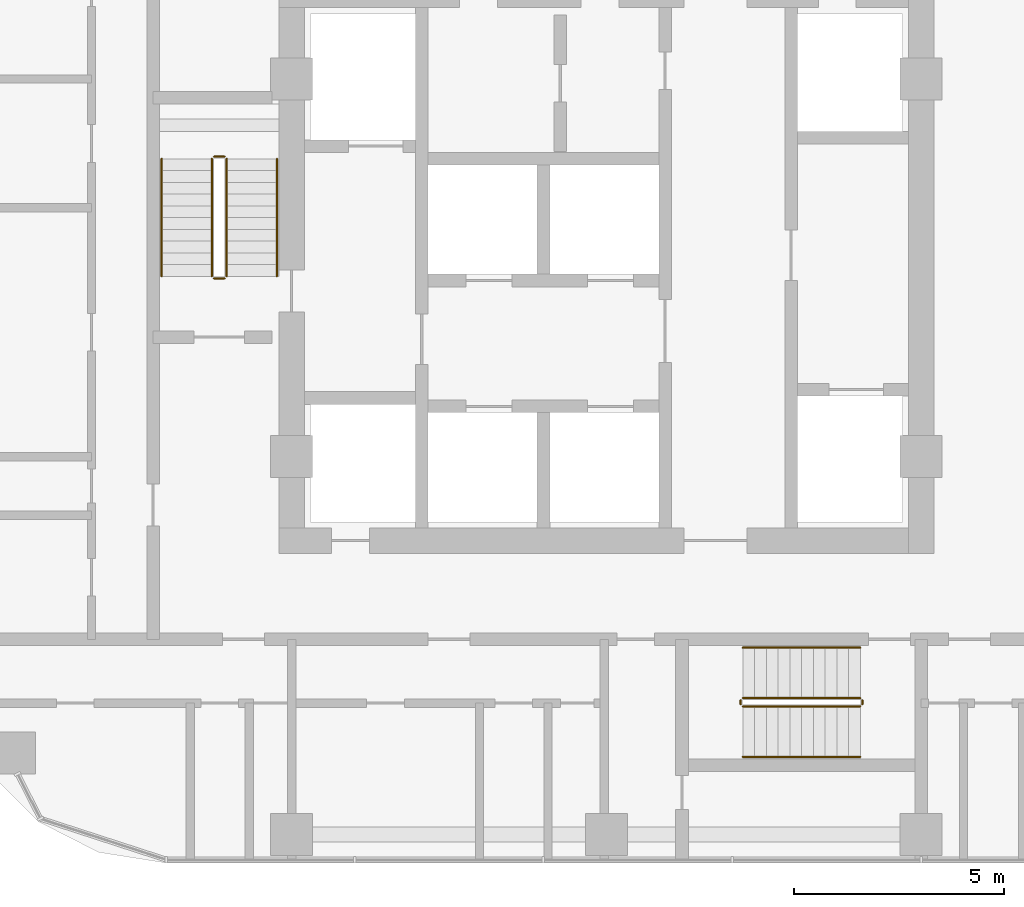
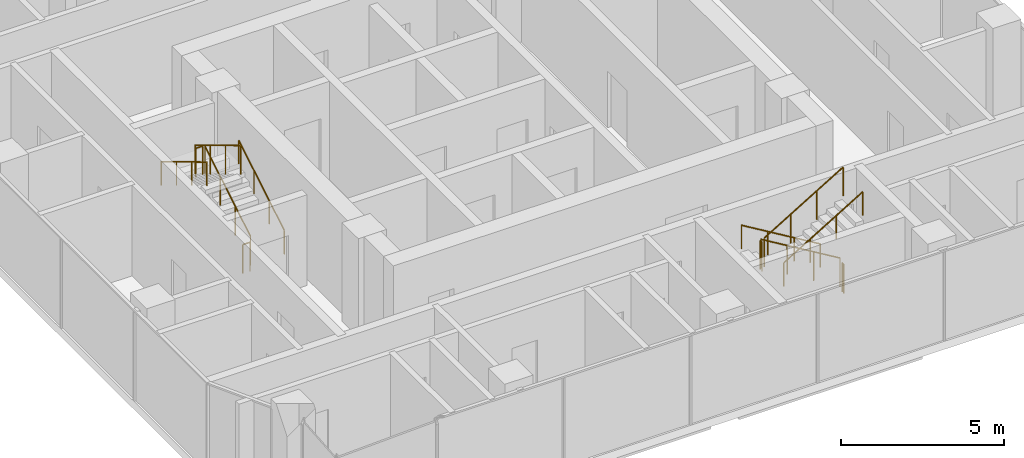
# One storey, part 30 of 30: 12 railings.
"""IFC4 building model written with IfcOpenShell, lengths in metres."""

from ifc_helpers import new_model, si_unit, direction, frame, origin, origin_2d, place, context, subcontext, project, spatial, circle, extrude, material, type_object, element, save


model = new_model("IFC4")

# Units and contexts
model_context = context("Model", 3, precision=1e-05, world=origin(), true_north=direction((0.0, 1.0)))
body_context = subcontext(model_context, "Body", "Model", "MODEL_VIEW")
ifc_project = project(units=[si_unit("LENGTHUNIT", "METRE"), si_unit("AREAUNIT", "SQUARE_METRE"), si_unit("VOLUMEUNIT", "CUBIC_METRE"), si_unit("PLANEANGLEUNIT", "RADIAN"), si_unit("MASSUNIT", "GRAM", prefix="KILO")], contexts=[model_context])

# Site, building, storey
site_placement = place(None, origin())
site = spatial("IfcSite", under=ifc_project, at=site_placement, CompositionType="ELEMENT")
building_placement = place(site_placement, origin())
building = spatial("IfcBuilding", under=site, at=building_placement, Name="Ogive Portal Towers", CompositionType="ELEMENT")
storey_placement = place(building_placement, frame((0.0, 0.0, 37.199951171875)))
storey = spatial("IfcBuildingStorey", under=building, at=storey_placement, Name="L07", CompositionType="ELEMENT", Elevation=37.199951171875)

# Railings
ifc_material_1 = material(Name="Stainless steel balustrade", Category="steel")
railing_type_1 = type_object("IfcRailingType", Name="INT-GUARD", PredefinedType="GUARDRAIL", material=ifc_material_1)
railing_1_placement = place(storey_placement, frame((127.449951171875, 30.800048828125, 0.168212890625)))
element("IfcRailing", 1, at=railing_1_placement, inside=storey, type_object=railing_type_1, Name="L07 ST-B1 stair guard 1", PredefinedType="GUARDRAIL", context=body_context, shape_type="SweptSolid", body=[
    extrude(circle(Radius=0.02392578125, at=origin_2d()), frame((0.0, 0.0, 1.076171875), z_axis=(0.0, 0.857242210791, 0.514913383045), x_axis=(-1.0, 0.0, 0.0)), (0.0, 0.0, 1.0), 3.266357421875),
    extrude(circle(Radius=0.02099609375, at=origin_2d()), origin(), (0.0, 0.0, 1.0), 1.052001953125),
    extrude(circle(Radius=0.02099609375, at=origin_2d()), frame((0.0, 0.933349609375, 0.560546875)), (0.0, 0.0, 1.0), 1.052001953125),
    extrude(circle(Radius=0.02099609375, at=origin_2d()), frame((0.0, 1.86669921875, 1.121337890625)), (0.0, 0.0, 1.0), 1.052001953125),
    extrude(circle(Radius=0.02099609375, at=origin_2d()), frame((0.0, 2.800048828125, 1.681884765625)), (0.0, 0.0, 1.0), 1.052001953125),
])
railing_2_placement = place(storey_placement, frame((127.39990234375, 33.64990234375, 1.85009765625)))
element("IfcRailing", 2, at=railing_2_placement, inside=storey, type_object=railing_type_1, Name="L07 ST-B1 stair guard 2", PredefinedType="GUARDRAIL", context=body_context, shape_type="SweptSolid", body=[
    extrude(circle(Radius=0.02392578125, at=origin_2d()), frame((0.0, 0.0, 1.076171875), z_axis=(-1.0, 0.0, 0.0), x_axis=(0.0, -1.0, 0.0)), (0.0, 0.0, 1.0), 0.25),
    extrude(circle(Radius=0.02099609375, at=origin_2d()), origin(), (0.0, 0.0, 1.0), 1.052001953125),
    extrude(circle(Radius=0.02099609375, at=origin_2d()), frame((-0.25, 0.0, 0.0)), (0.0, 0.0, 1.0), 1.052001953125),
])
railing_3_placement = place(storey_placement, frame((127.10009765625, 33.60009765625, 2.018310546875)))
element("IfcRailing", 3, at=railing_3_placement, inside=storey, type_object=railing_type_1, Name="L07 ST-B1 stair guard 3", PredefinedType="GUARDRAIL", context=body_context, shape_type="SweptSolid", body=[
    extrude(circle(Radius=0.02392578125, at=origin_2d()), frame((0.0, 0.0, 1.076171875), z_axis=(0.0, -0.857275202839, 0.514858452973), x_axis=(1.0, 0.0, 0.0)), (0.0, 0.0, 1.0), 3.26611328125),
    extrude(circle(Radius=0.02099609375, at=origin_2d()), origin(), (0.0, 0.0, 1.0), 1.052001953125),
    extrude(circle(Radius=0.02099609375, at=origin_2d()), frame((0.0, -0.933349609375, 0.560546875)), (0.0, 0.0, 1.0), 1.052001953125),
    extrude(circle(Radius=0.02099609375, at=origin_2d()), frame((0.0, -1.86669921875, 1.12109375)), (0.0, 0.0, 1.0), 1.052001953125),
    extrude(circle(Radius=0.02099609375, at=origin_2d()), frame((0.0, -2.800048828125, 1.681640625)), (0.0, 0.0, 1.0), 1.052001953125),
])
railing_4_placement = place(storey_placement, frame((127.39990234375, 30.75, 0.0)))
element("IfcRailing", 4, at=railing_4_placement, inside=storey, type_object=railing_type_1, Name="L07 ST-B1 stair guard 4", PredefinedType="GUARDRAIL", context=body_context, shape_type="SweptSolid", body=[
    extrude(circle(Radius=0.02392578125, at=origin_2d()), frame((0.0, 0.0, 1.076171875), z_axis=(-1.0, 0.0, 0.0), x_axis=(0.0, -1.0, 0.0)), (0.0, 0.0, 1.0), 0.25),
    extrude(circle(Radius=0.02099609375, at=origin_2d()), origin(), (0.0, 0.0, 1.0), 1.052001953125),
    extrude(circle(Radius=0.02099609375, at=origin_2d()), frame((-0.25, 0.0, 0.0)), (0.0, 0.0, 1.0), 1.052001953125),
])
railing_5_placement = place(storey_placement, frame((142.550048828125, 20.75, 0.168212890625)))
element("IfcRailing", 5, at=railing_5_placement, inside=storey, type_object=railing_type_1, Name="L07 ST-B2 stair guard 1", PredefinedType="GUARDRAIL", context=body_context, shape_type="SweptSolid", body=[
    extrude(circle(Radius=0.02392578125, at=origin_2d()), frame((0.0, 0.0, 1.076171875), z_axis=(-0.857242210791, 0.0, 0.514913383045), x_axis=(0.0, -1.0, 0.0)), (0.0, 0.0, 1.0), 3.266357421875),
    extrude(circle(Radius=0.02099609375, at=origin_2d()), origin(), (0.0, 0.0, 1.0), 1.052001953125),
    extrude(circle(Radius=0.02099609375, at=origin_2d()), frame((-0.933349609375, 0.0, 0.560546875)), (0.0, 0.0, 1.0), 1.052001953125),
    extrude(circle(Radius=0.02099609375, at=origin_2d()), frame((-1.86669921875, 0.0, 1.121337890625)), (0.0, 0.0, 1.0), 1.052001953125),
    extrude(circle(Radius=0.02099609375, at=origin_2d()), frame((-2.800048828125, 0.0, 1.681884765625)), (0.0, 0.0, 1.0), 1.052001953125),
])
railing_6_placement = place(storey_placement, frame((139.699951171875, 20.699951171875, 1.85009765625)))
element("IfcRailing", 6, at=railing_6_placement, inside=storey, type_object=railing_type_1, Name="L07 ST-B2 stair guard 2", PredefinedType="GUARDRAIL", context=body_context, shape_type="SweptSolid", body=[
    extrude(circle(Radius=0.02392578125, at=origin_2d()), frame((0.0, 0.0, 1.076171875), z_axis=(0.0, -1.0, 0.0), x_axis=(1.0, 0.0, 0.0)), (0.0, 0.0, 1.0), 0.099853515625),
    extrude(circle(Radius=0.02099609375, at=origin_2d()), origin(), (0.0, 0.0, 1.0), 1.052001953125),
    extrude(circle(Radius=0.02099609375, at=origin_2d()), frame((0.0, -0.099853515625, 0.0)), (0.0, 0.0, 1.0), 1.052001953125),
])
railing_7_placement = place(storey_placement, frame((139.75, 20.550048828125, 2.018310546875)))
element("IfcRailing", 7, at=railing_7_placement, inside=storey, type_object=railing_type_1, Name="L07 ST-B2 stair guard 3", PredefinedType="GUARDRAIL", context=body_context, shape_type="SweptSolid", body=[
    extrude(circle(Radius=0.02392578125, at=origin_2d()), frame((0.0, 0.0, 1.076171875), z_axis=(0.857275202839, 0.0, 0.514858452973), x_axis=(0.0, 1.0, 0.0)), (0.0, 0.0, 1.0), 3.26611328125),
    extrude(circle(Radius=0.02099609375, at=origin_2d()), origin(), (0.0, 0.0, 1.0), 1.052001953125),
    extrude(circle(Radius=0.02099609375, at=origin_2d()), frame((0.933349609375, 0.0, 0.560546875)), (0.0, 0.0, 1.0), 1.052001953125),
    extrude(circle(Radius=0.02099609375, at=origin_2d()), frame((1.86669921875, 0.0, 1.12109375)), (0.0, 0.0, 1.0), 1.052001953125),
    extrude(circle(Radius=0.02099609375, at=origin_2d()), frame((2.800048828125, 0.0, 1.681640625)), (0.0, 0.0, 1.0), 1.052001953125),
])
railing_8_placement = place(storey_placement, frame((142.60009765625, 20.699951171875, 0.0)))
element("IfcRailing", 8, at=railing_8_placement, inside=storey, type_object=railing_type_1, Name="L07 ST-B2 stair guard 4", PredefinedType="GUARDRAIL", context=body_context, shape_type="SweptSolid", body=[
    extrude(circle(Radius=0.02392578125, at=origin_2d()), frame((0.0, 0.0, 1.076171875), z_axis=(0.0, -1.0, 0.0), x_axis=(1.0, 0.0, 0.0)), (0.0, 0.0, 1.0), 0.099853515625),
    extrude(circle(Radius=0.02099609375, at=origin_2d()), origin(), (0.0, 0.0, 1.0), 1.052001953125),
    extrude(circle(Radius=0.02099609375, at=origin_2d()), frame((0.0, -0.099853515625, 0.0)), (0.0, 0.0, 1.0), 1.052001953125),
])
ifc_material_2 = material(Name="Stainless steel handrail", Category="steel")
railing_type_2 = type_object("IfcRailingType", Name="INT-HANDRAIL", PredefinedType="HANDRAIL", material=ifc_material_2)
railing_9_placement = place(storey_placement, frame((128.64990234375, 30.800048828125, 0.168212890625)))
element("IfcRailing", 9, at=railing_9_placement, inside=storey, type_object=railing_type_2, Name="L07 ST-B1 stair handrail 1", PredefinedType="HANDRAIL", context=body_context, shape_type="SweptSolid", body=[
    extrude(circle(Radius=0.02392578125, at=origin_2d()), frame((0.0, 0.0, 0.8759765625), z_axis=(0.0, 0.857242210791, 0.514913383045), x_axis=(-1.0, 0.0, 0.0)), (0.0, 0.0, 1.0), 3.266357421875),
    extrude(circle(Radius=0.02099609375, at=origin_2d()), origin(), (0.0, 0.0, 1.0), 0.851806640625),
    extrude(circle(Radius=0.02099609375, at=origin_2d()), frame((0.0, 0.933349609375, 0.560546875)), (0.0, 0.0, 1.0), 0.851806640625),
    extrude(circle(Radius=0.02099609375, at=origin_2d()), frame((0.0, 1.86669921875, 1.121337890625)), (0.0, 0.0, 1.0), 0.851806640625),
    extrude(circle(Radius=0.02099609375, at=origin_2d()), frame((0.0, 2.800048828125, 1.681884765625)), (0.0, 0.0, 1.0), 0.851806640625),
])
railing_10_placement = place(storey_placement, frame((125.89990234375, 33.60009765625, 2.018310546875)))
element("IfcRailing", 10, at=railing_10_placement, inside=storey, type_object=railing_type_2, Name="L07 ST-B1 stair handrail 2", PredefinedType="HANDRAIL", context=body_context, shape_type="SweptSolid", body=[
    extrude(circle(Radius=0.02392578125, at=origin_2d()), frame((0.0, 0.0, 0.8759765625), z_axis=(0.0, -0.857275202839, 0.514858452973), x_axis=(1.0, 0.0, 0.0)), (0.0, 0.0, 1.0), 3.26611328125),
    extrude(circle(Radius=0.02099609375, at=origin_2d()), origin(), (0.0, 0.0, 1.0), 0.851806640625),
    extrude(circle(Radius=0.02099609375, at=origin_2d()), frame((0.0, -0.933349609375, 0.560546875)), (0.0, 0.0, 1.0), 0.851806640625),
    extrude(circle(Radius=0.02099609375, at=origin_2d()), frame((0.0, -1.86669921875, 1.12109375)), (0.0, 0.0, 1.0), 0.851806640625),
    extrude(circle(Radius=0.02099609375, at=origin_2d()), frame((0.0, -2.800048828125, 1.681640625)), (0.0, 0.0, 1.0), 0.851806640625),
])
railing_11_placement = place(storey_placement, frame((142.550048828125, 21.949951171875, 0.168212890625)))
element("IfcRailing", 11, at=railing_11_placement, inside=storey, type_object=railing_type_2, Name="L07 ST-B2 stair handrail 1", PredefinedType="HANDRAIL", context=body_context, shape_type="SweptSolid", body=[
    extrude(circle(Radius=0.02392578125, at=origin_2d()), frame((0.0, 0.0, 0.8759765625), z_axis=(-0.857242210791, 0.0, 0.514913383045), x_axis=(0.0, -1.0, 0.0)), (0.0, 0.0, 1.0), 3.266357421875),
    extrude(circle(Radius=0.02099609375, at=origin_2d()), origin(), (0.0, 0.0, 1.0), 0.851806640625),
    extrude(circle(Radius=0.02099609375, at=origin_2d()), frame((-0.933349609375, 0.0, 0.560546875)), (0.0, 0.0, 1.0), 0.851806640625),
    extrude(circle(Radius=0.02099609375, at=origin_2d()), frame((-1.86669921875, 0.0, 1.121337890625)), (0.0, 0.0, 1.0), 0.851806640625),
    extrude(circle(Radius=0.02099609375, at=origin_2d()), frame((-2.800048828125, 0.0, 1.681884765625)), (0.0, 0.0, 1.0), 0.851806640625),
])
railing_12_placement = place(storey_placement, frame((139.75, 19.35009765625, 2.018310546875)))
element("IfcRailing", 12, at=railing_12_placement, inside=storey, type_object=railing_type_2, Name="L07 ST-B2 stair handrail 2", PredefinedType="HANDRAIL", context=body_context, shape_type="SweptSolid", body=[
    extrude(circle(Radius=0.02392578125, at=origin_2d()), frame((0.0, 0.0, 0.8759765625), z_axis=(0.857275202839, 0.0, 0.514858452973), x_axis=(0.0, 1.0, 0.0)), (0.0, 0.0, 1.0), 3.26611328125),
    extrude(circle(Radius=0.02099609375, at=origin_2d()), origin(), (0.0, 0.0, 1.0), 0.851806640625),
    extrude(circle(Radius=0.02099609375, at=origin_2d()), frame((0.933349609375, 0.0, 0.560546875)), (0.0, 0.0, 1.0), 0.851806640625),
    extrude(circle(Radius=0.02099609375, at=origin_2d()), frame((1.86669921875, 0.0, 1.12109375)), (0.0, 0.0, 1.0), 0.851806640625),
    extrude(circle(Radius=0.02099609375, at=origin_2d()), frame((2.800048828125, 0.0, 1.681640625)), (0.0, 0.0, 1.0), 0.851806640625),
])

save(model, "model.ifc")
